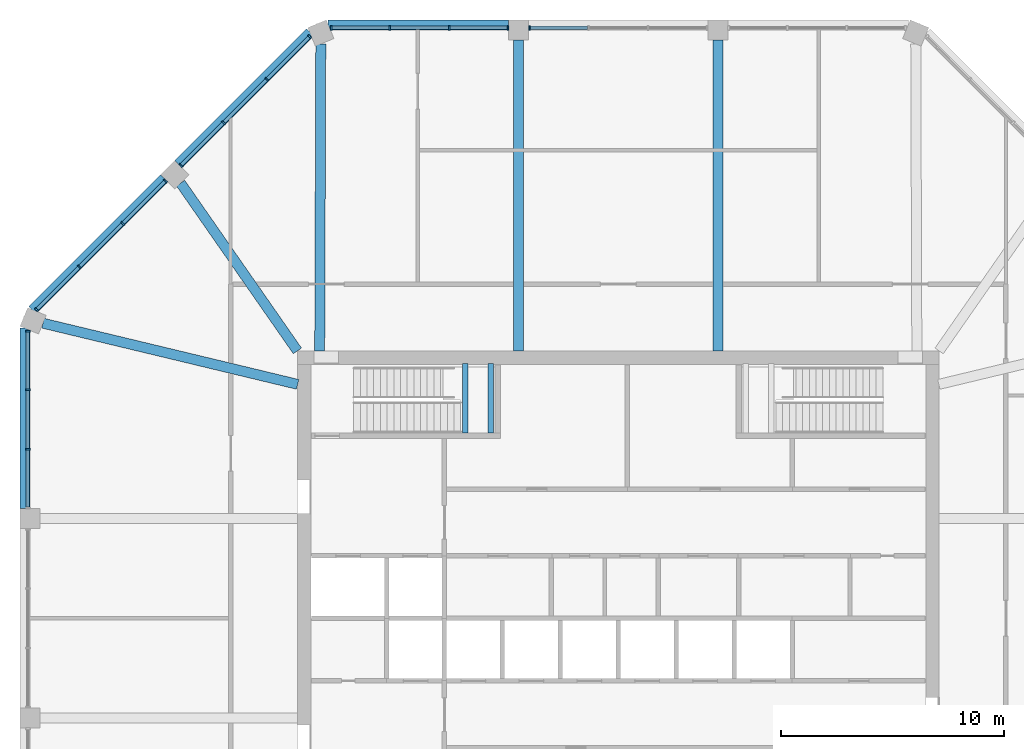
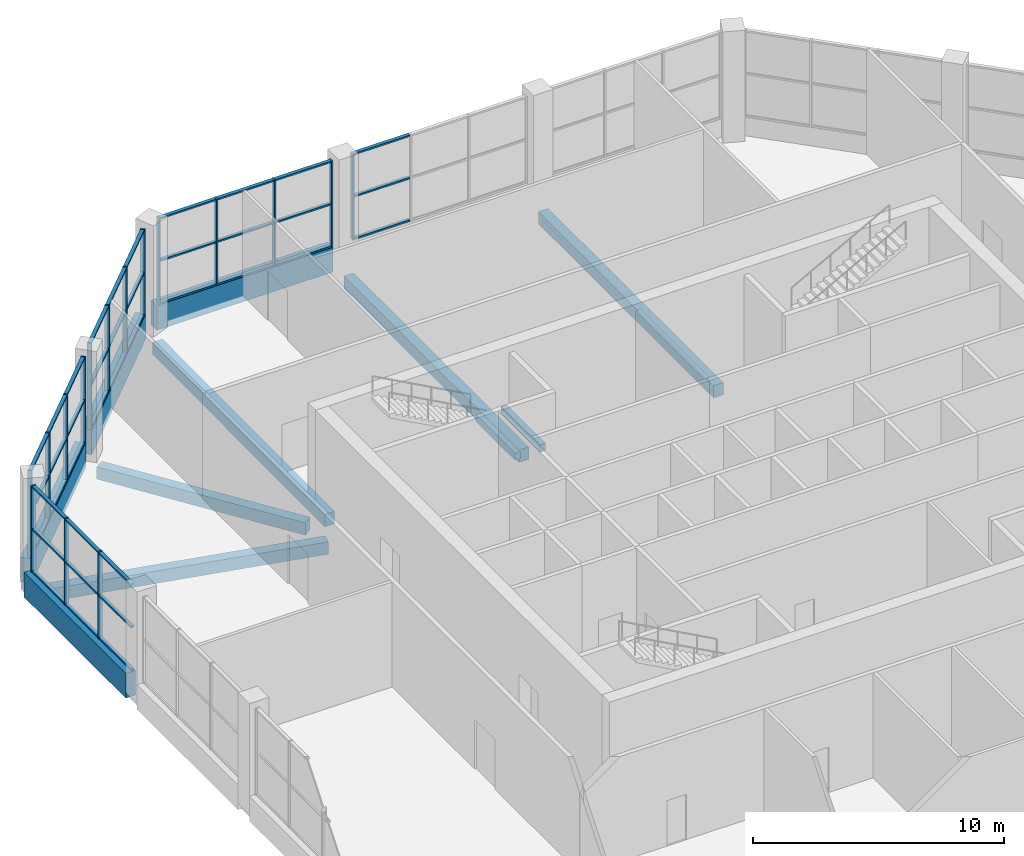
# One storey, part 6 of 15: 55 members, 11 beams, 5 elements without a shape of their own.
"""IFC4 building model written with IfcOpenShell, lengths in metres."""

from ifc_helpers import new_model, si_unit, direction, frame, origin, origin_2d, place, context, subcontext, project, spatial, rectangle, extrude, material, material_profile, profile_set, type_object, element, aggregate, save


model = new_model("IFC4")

# Units and contexts
model_context = context("Model", 3, precision=1e-05, world=origin(), true_north=direction((0.0, 1.0)))
body_context = subcontext(model_context, "Body", "Model", "MODEL_VIEW")
ifc_project = project(units=[si_unit("LENGTHUNIT", "METRE"), si_unit("AREAUNIT", "SQUARE_METRE"), si_unit("VOLUMEUNIT", "CUBIC_METRE"), si_unit("PLANEANGLEUNIT", "RADIAN"), si_unit("MASSUNIT", "GRAM", prefix="KILO")], contexts=[model_context])

# Site, building, storey
site_placement = place(None, origin())
site = spatial("IfcSite", under=ifc_project, at=site_placement, CompositionType="ELEMENT")
building_placement = place(site_placement, origin())
building = spatial("IfcBuilding", under=site, at=building_placement, Name="Msitu Wima Residences", CompositionType="ELEMENT")
storey_placement = place(building_placement, frame((0.0, 0.0, 314.699951171875)))
storey = spatial("IfcBuildingStorey", under=building, at=storey_placement, Name="L73", CompositionType="ELEMENT", Elevation=314.699951171875)

# Beams
ifc_material_1 = material(Name="Concrete C50/60", Category="concrete")
ifc_material_profile_1 = material_profile(ifc_material_1, rectangle(XDim=0.449951171875, YDim=0.60009765625, at=origin_2d()), Name="RC 450x600")
ifc_profile_set_1 = profile_set([ifc_material_profile_1], Name="Concrete C50/60")
beam_type_1 = type_object("IfcBeamType", Name="Beam RC 450x600 Concrete C50/60", PredefinedType="BEAM", material=ifc_profile_set_1)
for number, where, z_axis, x_axis, name in (
    (1, (4.46875, 25.949951171875, -0.599853515625), (0.0, -1.0, 0.0), (1.0, 0.0, 0.0), "Beam L73 C-N1"),
    (2, (-4.46875, 25.949951171875, -0.599853515625), (0.0, -1.0, 0.0), (1.0, 0.0, 0.0), "Beam L73 C-N2"),
):
    element("IfcBeam", number, at=place(storey_placement, frame(where, z_axis=z_axis, x_axis=x_axis)), inside=storey, type_object=beam_type_1, Name=name, PredefinedType="BEAM", context=body_context, shape_type="SweptSolid", body=[
        extrude(rectangle(XDim=0.449951171875, YDim=0.60009765625, at=origin_2d()), origin(), (0.0, 0.0, 1.0), 13.949951171875),
    ])
beam_1_placement = place(storey_placement, frame((-13.3505859375, 25.774169921875, -0.599853515625), z_axis=(-0.003594933206, -0.999993538207, 0.0), x_axis=(0.999993538207, -0.003594933206, 0.0)))
element("IfcBeam", 3, at=beam_1_placement, inside=storey, type_object=beam_type_1, Name="Beam L73 C-NW0", PredefinedType="BEAM", context=body_context, shape_type="SweptSolid", body=[
    extrude(rectangle(XDim=0.449951171875, YDim=0.60009765625, at=origin_2d()), origin(), (0.0, 0.0, 1.0), 13.7861328125),
])
beam_2_placement = place(storey_placement, frame((-19.6416015625, 19.52783203125, -0.599853515625), z_axis=(0.571427822633, -0.820652328042, 0.0), x_axis=(0.820652328042, 0.571427822633, 0.0)))
element("IfcBeam", 4, at=beam_2_placement, inside=storey, type_object=beam_type_1, Name="Beam L73 C-NW1", PredefinedType="BEAM", context=body_context, shape_type="SweptSolid", body=[
    extrude(rectangle(XDim=0.449951171875, YDim=0.60009765625, at=origin_2d()), origin(), (0.0, 0.0, 1.0), 9.173095703125),
])
beam_3_placement = place(storey_placement, frame((-25.819091796875, 13.242431640625, -0.599853515625), z_axis=(0.972353359268, -0.233514335148, 0.0), x_axis=(0.233514335148, 0.972353359268, 0.0)))
element("IfcBeam", 5, at=beam_3_placement, inside=storey, type_object=beam_type_1, Name="Beam L73 C-W0", PredefinedType="BEAM", context=body_context, shape_type="SweptSolid", body=[
    extrude(rectangle(XDim=0.449951171875, YDim=0.60009765625, at=origin_2d()), origin(), (0.0, 0.0, 1.0), 11.755615234375),
])
ifc_material_2 = material(Name="Concrete C40/50", Category="concrete")
ifc_material_profile_2 = material_profile(ifc_material_2, rectangle(XDim=0.25, YDim=0.35009765625, at=origin_2d()), Name="RC 250x350")
ifc_profile_set_2 = profile_set([ifc_material_profile_2], Name="Concrete C40/50")
beam_type_2 = type_object("IfcBeamType", Name="Landing beam RC 250x350", PredefinedType="BEAM", material=ifc_profile_set_2)
for number, where, z_axis, x_axis, name in (
    (6, (-6.875, 8.324951171875, 2.406982421875), (0.0, 1.0, 0.0), (-1.0, 0.0, 0.0), "Stair 1 landing beam"),
    (7, (-5.72509765625, 8.324951171875, 2.406982421875), (0.0, 1.0, 0.0), (-1.0, 0.0, 0.0), "Stair 1 landing beam"),
):
    element("IfcBeam", number, at=place(storey_placement, frame(where, z_axis=z_axis, x_axis=x_axis)), inside=storey, type_object=beam_type_2, Name=name, PredefinedType="BEAM", context=body_context, shape_type="SweptSolid", body=[
        extrude(rectangle(XDim=0.25, YDim=0.35009765625, at=origin_2d()), origin(), (0.0, 0.0, 1.0), 3.10009765625),
    ])

# Curtain wall, member
ifc_material_3 = material(Name="Anodised aluminium, bronze finish, solar control laminated double glazing", Category="aluminium")
curtain_wall_type = type_object("IfcCurtainWallType", Name="Curtain wall CW3 top lounge wall", PredefinedType="NOTDEFINED", material=ifc_material_3)
curtain_wall_1_placement = place(storey_placement, origin())
curtain_wall_1 = element("IfcCurtainWall", 8, at=curtain_wall_1_placement, inside=storey, type_object=curtain_wall_type, Name="Curtain wall CW3 L73 N1", PredefinedType="NOTDEFINED")
ifc_material_4 = material(Name="Anodised aluminium, bronze finish", Category="aluminium")
ifc_material_profile_3 = material_profile(ifc_material_4, rectangle(XDim=0.199951171875, YDim=0.074951171875, at=origin_2d()), Name="Mullion 75x200")
ifc_profile_set_3 = profile_set([ifc_material_profile_3], Name="Anodised aluminium, bronze finish")
member_type_1 = type_object("IfcMemberType", Name="Mullion CW3 75x200", PredefinedType="MULLION", material=ifc_profile_set_3)
member_1_placement = place(storey_placement, frame((-3.981201171875, 26.5, 0.900146484375), z_axis=(0.0, 0.0, 1.0), x_axis=(0.0, -1.0, 0.0)))
member_1 = element("IfcMember", 9, at=member_1_placement, type_object=member_type_1, Name="CW3 mullion 4", PredefinedType="MULLION", context=body_context, shape_type="SweptSolid", body=[
    extrude(rectangle(XDim=0.199951171875, YDim=0.074951171875, at=origin_2d()), origin(), (0.0, 0.0, 1.0), 4.199951171875),
])

# Curtain wall, members
curtain_wall_2_placement = place(storey_placement, origin())
curtain_wall_2 = element("IfcCurtainWall", 10, at=curtain_wall_2_placement, inside=storey, type_object=curtain_wall_type, Name="Curtain wall CW3 L73 N2", PredefinedType="NOTDEFINED")
member_2_placement = place(storey_placement, frame((-4.9560546875, 26.5, 0.900146484375), z_axis=(0.0, 0.0, 1.0), x_axis=(0.0, -1.0, 0.0)))
member_2 = element("IfcMember", 11, at=member_2_placement, type_object=member_type_1, Name="CW3 mullion 1", PredefinedType="MULLION", context=body_context, shape_type="SweptSolid", body=[
    extrude(rectangle(XDim=0.199951171875, YDim=0.074951171875, at=origin_2d()), origin(), (0.0, 0.0, 1.0), 4.199951171875),
])
member_3_placement = place(storey_placement, frame((-7.58544921875, 26.5, 0.900146484375), z_axis=(0.0, 0.0, 1.0), x_axis=(0.0, -1.0, 0.0)))
member_3 = element("IfcMember", 12, at=member_3_placement, type_object=member_type_1, Name="CW3 mullion 2", PredefinedType="MULLION", context=body_context, shape_type="SweptSolid", body=[
    extrude(rectangle(XDim=0.199951171875, YDim=0.074951171875, at=origin_2d()), origin(), (0.0, 0.0, 1.0), 4.199951171875),
])
member_4_placement = place(storey_placement, frame((-10.252197265625, 26.5, 0.900146484375), z_axis=(0.0, 0.0, 1.0), x_axis=(0.0, -1.0, 0.0)))
member_4 = element("IfcMember", 13, at=member_4_placement, type_object=member_type_1, Name="CW3 mullion 3", PredefinedType="MULLION", context=body_context, shape_type="SweptSolid", body=[
    extrude(rectangle(XDim=0.199951171875, YDim=0.074951171875, at=origin_2d()), origin(), (0.0, 0.0, 1.0), 4.199951171875),
])
member_5_placement = place(storey_placement, frame((-12.88134765625, 26.5, 0.900146484375), z_axis=(0.0, 0.0, 1.0), x_axis=(0.0, -1.0, 0.0)))
member_5 = element("IfcMember", 14, at=member_5_placement, type_object=member_type_1, Name="CW3 mullion 4", PredefinedType="MULLION", context=body_context, shape_type="SweptSolid", body=[
    extrude(rectangle(XDim=0.199951171875, YDim=0.074951171875, at=origin_2d()), origin(), (0.0, 0.0, 1.0), 4.199951171875),
])

curtain_wall_3_placement = place(storey_placement, origin())
curtain_wall_3 = element("IfcCurtainWall", 15, at=curtain_wall_3_placement, inside=storey, type_object=curtain_wall_type, Name="Curtain wall CW3 L73 NW0", PredefinedType="NOTDEFINED")
member_6_placement = place(storey_placement, frame((-13.847412109375, 26.099853515625, 0.900146484375), z_axis=(0.0, 0.0, 1.0), x_axis=(0.707106781187, -0.707106781187, 0.0)))
member_6 = element("IfcMember", 16, at=member_6_placement, type_object=member_type_1, Name="CW3 mullion 1", PredefinedType="MULLION", context=body_context, shape_type="SweptSolid", body=[
    extrude(rectangle(XDim=0.199951171875, YDim=0.074951171875, at=origin_2d()), origin(), (0.0, 0.0, 1.0), 4.199951171875),
])
member_7_placement = place(storey_placement, frame((-15.765869140625, 24.181396484375, 0.900146484375), z_axis=(0.0, 0.0, 1.0), x_axis=(0.707106781187, -0.707106781187, 0.0)))
member_7 = element("IfcMember", 17, at=member_7_placement, type_object=member_type_1, Name="CW3 mullion 2", PredefinedType="MULLION", context=body_context, shape_type="SweptSolid", body=[
    extrude(rectangle(XDim=0.199951171875, YDim=0.074951171875, at=origin_2d()), origin(), (0.0, 0.0, 1.0), 4.199951171875),
])
member_8_placement = place(storey_placement, frame((-17.710693359375, 22.236572265625, 0.900146484375), z_axis=(0.0, 0.0, 1.0), x_axis=(0.707106781187, -0.707106781187, 0.0)))
member_8 = element("IfcMember", 18, at=member_8_placement, type_object=member_type_1, Name="CW3 mullion 3", PredefinedType="MULLION", context=body_context, shape_type="SweptSolid", body=[
    extrude(rectangle(XDim=0.199951171875, YDim=0.074951171875, at=origin_2d()), origin(), (0.0, 0.0, 1.0), 4.199951171875),
])
member_9_placement = place(storey_placement, frame((-19.62890625, 20.318359375, 0.900146484375), z_axis=(0.0, 0.0, 1.0), x_axis=(0.707106781187, -0.707106781187, 0.0)))
member_9 = element("IfcMember", 19, at=member_9_placement, type_object=member_type_1, Name="CW3 mullion 4", PredefinedType="MULLION", context=body_context, shape_type="SweptSolid", body=[
    extrude(rectangle(XDim=0.199951171875, YDim=0.074951171875, at=origin_2d()), origin(), (0.0, 0.0, 1.0), 4.199951171875),
])

curtain_wall_4_placement = place(storey_placement, origin())
curtain_wall_4 = element("IfcCurtainWall", 20, at=curtain_wall_4_placement, inside=storey, type_object=curtain_wall_type, Name="Curtain wall CW3 L73 NW1", PredefinedType="NOTDEFINED")
member_10_placement = place(storey_placement, frame((-20.318359375, 19.62890625, 0.900146484375), z_axis=(0.0, 0.0, 1.0), x_axis=(0.707106841783, -0.707106720591, 0.0)))
member_10 = element("IfcMember", 21, at=member_10_placement, type_object=member_type_1, Name="CW3 mullion 1", PredefinedType="MULLION", context=body_context, shape_type="SweptSolid", body=[
    extrude(rectangle(XDim=0.199951171875, YDim=0.074951171875, at=origin_2d()), origin(), (0.0, 0.0, 1.0), 4.199951171875),
])
member_11_placement = place(storey_placement, frame((-22.236572265625, 17.710693359375, 0.900146484375), z_axis=(0.0, 0.0, 1.0), x_axis=(0.707106841783, -0.707106720591, 0.0)))
member_11 = element("IfcMember", 22, at=member_11_placement, type_object=member_type_1, Name="CW3 mullion 2", PredefinedType="MULLION", context=body_context, shape_type="SweptSolid", body=[
    extrude(rectangle(XDim=0.199951171875, YDim=0.074951171875, at=origin_2d()), origin(), (0.0, 0.0, 1.0), 4.199951171875),
])
member_12_placement = place(storey_placement, frame((-24.181396484375, 15.765869140625, 0.900146484375), z_axis=(0.0, 0.0, 1.0), x_axis=(0.707106841783, -0.707106720591, 0.0)))
member_12 = element("IfcMember", 23, at=member_12_placement, type_object=member_type_1, Name="CW3 mullion 3", PredefinedType="MULLION", context=body_context, shape_type="SweptSolid", body=[
    extrude(rectangle(XDim=0.199951171875, YDim=0.074951171875, at=origin_2d()), origin(), (0.0, 0.0, 1.0), 4.199951171875),
])
member_13_placement = place(storey_placement, frame((-26.099853515625, 13.847412109375, 0.900146484375), z_axis=(0.0, 0.0, 1.0), x_axis=(0.707106841783, -0.707106720591, 0.0)))
member_13 = element("IfcMember", 24, at=member_13_placement, type_object=member_type_1, Name="CW3 mullion 4", PredefinedType="MULLION", context=body_context, shape_type="SweptSolid", body=[
    extrude(rectangle(XDim=0.199951171875, YDim=0.074951171875, at=origin_2d()), origin(), (0.0, 0.0, 1.0), 4.199951171875),
])

curtain_wall_5_placement = place(storey_placement, origin())
curtain_wall_5 = element("IfcCurtainWall", 25, at=curtain_wall_5_placement, inside=storey, type_object=curtain_wall_type, Name="Curtain wall CW3 L73 W0", PredefinedType="NOTDEFINED")
member_14_placement = place(storey_placement, frame((-26.5, 12.88134765625, 0.900146484375), z_axis=(0.0, 0.0, 1.0), x_axis=(1.0, 0.0, 0.0)))
member_14 = element("IfcMember", 26, at=member_14_placement, type_object=member_type_1, Name="CW3 mullion 1", PredefinedType="MULLION", context=body_context, shape_type="SweptSolid", body=[
    extrude(rectangle(XDim=0.199951171875, YDim=0.074951171875, at=origin_2d()), origin(), (0.0, 0.0, 1.0), 4.199951171875),
])
member_15_placement = place(storey_placement, frame((-26.5, 10.252197265625, 0.900146484375), z_axis=(0.0, 0.0, 1.0), x_axis=(1.0, 0.0, 0.0)))
member_15 = element("IfcMember", 27, at=member_15_placement, type_object=member_type_1, Name="CW3 mullion 2", PredefinedType="MULLION", context=body_context, shape_type="SweptSolid", body=[
    extrude(rectangle(XDim=0.199951171875, YDim=0.074951171875, at=origin_2d()), origin(), (0.0, 0.0, 1.0), 4.199951171875),
])
member_16_placement = place(storey_placement, frame((-26.5, 7.58544921875, 0.900146484375), z_axis=(0.0, 0.0, 1.0), x_axis=(1.0, 0.0, 0.0)))
member_16 = element("IfcMember", 28, at=member_16_placement, type_object=member_type_1, Name="CW3 mullion 3", PredefinedType="MULLION", context=body_context, shape_type="SweptSolid", body=[
    extrude(rectangle(XDim=0.199951171875, YDim=0.074951171875, at=origin_2d()), origin(), (0.0, 0.0, 1.0), 4.199951171875),
])

# Beams
ifc_material_profile_4 = material_profile(ifc_material_1, rectangle(XDim=0.449951171875, YDim=1.199951171875, at=origin_2d()), Name="RC 450x1200")
ifc_profile_set_4 = profile_set([ifc_material_profile_4], Name="Concrete C50/60")
beam_type_3 = type_object("IfcBeamType", Name="Spandrel RC 450x1200 Concrete C50/60", PredefinedType="SPANDREL", material=ifc_profile_set_4)
beam_4_placement = place(storey_placement, frame((-4.918701171875, 26.625, 0.300048828125), z_axis=(-1.0, 0.0, 0.0), x_axis=(0.0, -1.0, 0.0)))
element("IfcBeam", 29, at=beam_4_placement, inside=storey, type_object=beam_type_3, Name="Spandrel L73 N2", PredefinedType="SPANDREL", context=body_context, shape_type="SweptSolid", body=[
    extrude(rectangle(XDim=0.449951171875, YDim=1.199951171875, at=origin_2d()), origin(), (0.0, 0.0, 1.0), 8.105224609375),
])
for number, where, z_axis, x_axis, name in (
    (30, (-13.8349609375, 26.2890625, 0.300048828125), (-0.707106781187, -0.707106781187, 0.0), (0.707106781187, -0.707106781187, 0.0), "Spandrel L73 NW0"),
    (31, (-20.380126953125, 19.743896484375, 0.300048828125), (-0.707106781187, -0.707106781187, 0.0), (0.707106781187, -0.707106781187, 0.0), "Spandrel L73 NW1"),
):
    element("IfcBeam", number, at=place(storey_placement, frame(where, z_axis=z_axis, x_axis=x_axis)), inside=storey, type_object=beam_type_3, Name=name, PredefinedType="SPANDREL", context=body_context, shape_type="SweptSolid", body=[
        extrude(rectangle(XDim=0.449951171875, YDim=1.199951171875, at=origin_2d()), origin(), (0.0, 0.0, 1.0), 8.3564453125),
    ])
beam_5_placement = place(storey_placement, frame((-26.625, 13.02392578125, 0.300048828125), z_axis=(0.0, -1.0, 0.0), x_axis=(1.0, 0.0, 0.0)))
element("IfcBeam", 32, at=beam_5_placement, inside=storey, type_object=beam_type_3, Name="Spandrel L73 W0", PredefinedType="SPANDREL", context=body_context, shape_type="SweptSolid", body=[
    extrude(rectangle(XDim=0.449951171875, YDim=1.199951171875, at=origin_2d()), origin(), (0.0, 0.0, 1.0), 8.105224609375),
])

# Member
ifc_material_profile_5 = material_profile(ifc_material_4, rectangle(XDim=0.159912109375, YDim=0.074951171875, at=origin_2d()), Name="Transom 75x160")
ifc_profile_set_5 = profile_set([ifc_material_profile_5], Name="Anodised aluminium, bronze finish")
member_type_2 = type_object("IfcMemberType", Name="Transom CW3 75x160", PredefinedType="USERDEFINED", material=ifc_profile_set_5)
member_17_placement = place(storey_placement, frame((-1.376953125, 26.5, 0.9375), z_axis=(-1.0, 0.0, 0.0), x_axis=(0.0, -1.0, 0.0)))
member_17 = element("IfcMember", 33, at=member_17_placement, type_object=member_type_2, Name="CW3 transom 3.1", ObjectType="TRANSOM", PredefinedType="USERDEFINED", context=body_context, shape_type="SweptSolid", body=[
    extrude(rectangle(XDim=0.159912109375, YDim=0.074951171875, at=origin_2d()), origin(), (0.0, 0.0, 1.0), 2.566650390625),
])

member_18_placement = place(storey_placement, frame((-1.376953125, 26.5, 3.0), z_axis=(-1.0, 0.0, 0.0), x_axis=(0.0, -1.0, 0.0)))
member_18 = element("IfcMember", 34, at=member_18_placement, type_object=member_type_2, Name="CW3 transom 3.2", ObjectType="TRANSOM", PredefinedType="USERDEFINED", context=body_context, shape_type="SweptSolid", body=[
    extrude(rectangle(XDim=0.159912109375, YDim=0.074951171875, at=origin_2d()), origin(), (0.0, 0.0, 1.0), 2.566650390625),
])

member_19_placement = place(storey_placement, frame((-1.376953125, 26.5, 5.0625), z_axis=(-1.0, 0.0, 0.0), x_axis=(0.0, -1.0, 0.0)))
member_19 = element("IfcMember", 35, at=member_19_placement, type_object=member_type_2, Name="CW3 transom 3.3", ObjectType="TRANSOM", PredefinedType="USERDEFINED", context=body_context, shape_type="SweptSolid", body=[
    extrude(rectangle(XDim=0.159912109375, YDim=0.074951171875, at=origin_2d()), origin(), (0.0, 0.0, 1.0), 2.566650390625),
])

aggregate(curtain_wall_1, [member_1, member_17, member_18, member_19])

member_20_placement = place(storey_placement, frame((-4.99365234375, 26.5, 0.9375), z_axis=(-1.0, 0.0, 0.0), x_axis=(0.0, -1.0, 0.0)))
member_20 = element("IfcMember", 36, at=member_20_placement, type_object=member_type_2, Name="CW3 transom 1.1", ObjectType="TRANSOM", PredefinedType="USERDEFINED", context=body_context, shape_type="SweptSolid", body=[
    extrude(rectangle(XDim=0.159912109375, YDim=0.074951171875, at=origin_2d()), origin(), (0.0, 0.0, 1.0), 2.55419921875),
])

member_21_placement = place(storey_placement, frame((-4.99365234375, 26.5, 3.0), z_axis=(-1.0, 0.0, 0.0), x_axis=(0.0, -1.0, 0.0)))
member_21 = element("IfcMember", 37, at=member_21_placement, type_object=member_type_2, Name="CW3 transom 1.2", ObjectType="TRANSOM", PredefinedType="USERDEFINED", context=body_context, shape_type="SweptSolid", body=[
    extrude(rectangle(XDim=0.159912109375, YDim=0.074951171875, at=origin_2d()), origin(), (0.0, 0.0, 1.0), 2.55419921875),
])

member_22_placement = place(storey_placement, frame((-4.99365234375, 26.5, 5.0625), z_axis=(-1.0, 0.0, 0.0), x_axis=(0.0, -1.0, 0.0)))
member_22 = element("IfcMember", 38, at=member_22_placement, type_object=member_type_2, Name="CW3 transom 1.3", ObjectType="TRANSOM", PredefinedType="USERDEFINED", context=body_context, shape_type="SweptSolid", body=[
    extrude(rectangle(XDim=0.159912109375, YDim=0.074951171875, at=origin_2d()), origin(), (0.0, 0.0, 1.0), 2.55419921875),
])

member_23_placement = place(storey_placement, frame((-7.622802734375, 26.5, 0.9375), z_axis=(-1.0, 0.0, 0.0), x_axis=(0.0, -1.0, 0.0)))
member_23 = element("IfcMember", 39, at=member_23_placement, type_object=member_type_2, Name="CW3 transom 2.1", ObjectType="TRANSOM", PredefinedType="USERDEFINED", context=body_context, shape_type="SweptSolid", body=[
    extrude(rectangle(XDim=0.159912109375, YDim=0.074951171875, at=origin_2d()), origin(), (0.0, 0.0, 1.0), 2.591796875),
])

member_24_placement = place(storey_placement, frame((-7.622802734375, 26.5, 3.0), z_axis=(-1.0, 0.0, 0.0), x_axis=(0.0, -1.0, 0.0)))
member_24 = element("IfcMember", 40, at=member_24_placement, type_object=member_type_2, Name="CW3 transom 2.2", ObjectType="TRANSOM", PredefinedType="USERDEFINED", context=body_context, shape_type="SweptSolid", body=[
    extrude(rectangle(XDim=0.159912109375, YDim=0.074951171875, at=origin_2d()), origin(), (0.0, 0.0, 1.0), 2.591796875),
])

member_25_placement = place(storey_placement, frame((-7.622802734375, 26.5, 5.0625), z_axis=(-1.0, 0.0, 0.0), x_axis=(0.0, -1.0, 0.0)))
member_25 = element("IfcMember", 41, at=member_25_placement, type_object=member_type_2, Name="CW3 transom 2.3", ObjectType="TRANSOM", PredefinedType="USERDEFINED", context=body_context, shape_type="SweptSolid", body=[
    extrude(rectangle(XDim=0.159912109375, YDim=0.074951171875, at=origin_2d()), origin(), (0.0, 0.0, 1.0), 2.591796875),
])

member_26_placement = place(storey_placement, frame((-10.28955078125, 26.5, 0.9375), z_axis=(-1.0, 0.0, 0.0), x_axis=(0.0, -1.0, 0.0)))
member_26 = element("IfcMember", 42, at=member_26_placement, type_object=member_type_2, Name="CW3 transom 3.1", ObjectType="TRANSOM", PredefinedType="USERDEFINED", context=body_context, shape_type="SweptSolid", body=[
    extrude(rectangle(XDim=0.159912109375, YDim=0.074951171875, at=origin_2d()), origin(), (0.0, 0.0, 1.0), 2.55419921875),
])

member_27_placement = place(storey_placement, frame((-10.28955078125, 26.5, 3.0), z_axis=(-1.0, 0.0, 0.0), x_axis=(0.0, -1.0, 0.0)))
member_27 = element("IfcMember", 43, at=member_27_placement, type_object=member_type_2, Name="CW3 transom 3.2", ObjectType="TRANSOM", PredefinedType="USERDEFINED", context=body_context, shape_type="SweptSolid", body=[
    extrude(rectangle(XDim=0.159912109375, YDim=0.074951171875, at=origin_2d()), origin(), (0.0, 0.0, 1.0), 2.55419921875),
])

member_28_placement = place(storey_placement, frame((-10.28955078125, 26.5, 5.0625), z_axis=(-1.0, 0.0, 0.0), x_axis=(0.0, -1.0, 0.0)))
member_28 = element("IfcMember", 44, at=member_28_placement, type_object=member_type_2, Name="CW3 transom 3.3", ObjectType="TRANSOM", PredefinedType="USERDEFINED", context=body_context, shape_type="SweptSolid", body=[
    extrude(rectangle(XDim=0.159912109375, YDim=0.074951171875, at=origin_2d()), origin(), (0.0, 0.0, 1.0), 2.55419921875),
])

aggregate(curtain_wall_2, [member_2, member_3, member_4, member_5, member_20, member_21, member_22, member_23, member_24, member_25, member_26, member_27, member_28])

member_29_placement = place(storey_placement, frame((-13.8740234375, 26.0732421875, 0.9375), z_axis=(-0.707106781187, -0.707106781187, 0.0), x_axis=(0.707106781187, -0.707106781187, 0.0)))
member_29 = element("IfcMember", 45, at=member_29_placement, type_object=member_type_2, Name="CW3 transom 1.1", ObjectType="TRANSOM", PredefinedType="USERDEFINED", context=body_context, shape_type="SweptSolid", body=[
    extrude(rectangle(XDim=0.159912109375, YDim=0.074951171875, at=origin_2d()), origin(), (0.0, 0.0, 1.0), 2.637939453125),
])

member_30_placement = place(storey_placement, frame((-13.8740234375, 26.0732421875, 3.0), z_axis=(-0.707106781187, -0.707106781187, 0.0), x_axis=(0.707106781187, -0.707106781187, 0.0)))
member_30 = element("IfcMember", 46, at=member_30_placement, type_object=member_type_2, Name="CW3 transom 1.2", ObjectType="TRANSOM", PredefinedType="USERDEFINED", context=body_context, shape_type="SweptSolid", body=[
    extrude(rectangle(XDim=0.159912109375, YDim=0.074951171875, at=origin_2d()), origin(), (0.0, 0.0, 1.0), 2.637939453125),
])

member_31_placement = place(storey_placement, frame((-13.8740234375, 26.0732421875, 5.0625), z_axis=(-0.707106781187, -0.707106781187, 0.0), x_axis=(0.707106781187, -0.707106781187, 0.0)))
member_31 = element("IfcMember", 47, at=member_31_placement, type_object=member_type_2, Name="CW3 transom 1.3", ObjectType="TRANSOM", PredefinedType="USERDEFINED", context=body_context, shape_type="SweptSolid", body=[
    extrude(rectangle(XDim=0.159912109375, YDim=0.074951171875, at=origin_2d()), origin(), (0.0, 0.0, 1.0), 2.637939453125),
])

member_32_placement = place(storey_placement, frame((-15.792236328125, 24.155029296875, 0.9375), z_axis=(-0.707106781187, -0.707106781187, 0.0), x_axis=(0.707106781187, -0.707106781187, 0.0)))
member_32 = element("IfcMember", 48, at=member_32_placement, type_object=member_type_2, Name="CW3 transom 2.1", ObjectType="TRANSOM", PredefinedType="USERDEFINED", context=body_context, shape_type="SweptSolid", body=[
    extrude(rectangle(XDim=0.159912109375, YDim=0.074951171875, at=origin_2d()), origin(), (0.0, 0.0, 1.0), 2.675537109375),
])

member_33_placement = place(storey_placement, frame((-15.792236328125, 24.155029296875, 3.0), z_axis=(-0.707106781187, -0.707106781187, 0.0), x_axis=(0.707106781187, -0.707106781187, 0.0)))
member_33 = element("IfcMember", 49, at=member_33_placement, type_object=member_type_2, Name="CW3 transom 2.2", ObjectType="TRANSOM", PredefinedType="USERDEFINED", context=body_context, shape_type="SweptSolid", body=[
    extrude(rectangle(XDim=0.159912109375, YDim=0.074951171875, at=origin_2d()), origin(), (0.0, 0.0, 1.0), 2.675537109375),
])

member_34_placement = place(storey_placement, frame((-15.792236328125, 24.155029296875, 5.0625), z_axis=(-0.707106781187, -0.707106781187, 0.0), x_axis=(0.707106781187, -0.707106781187, 0.0)))
member_34 = element("IfcMember", 50, at=member_34_placement, type_object=member_type_2, Name="CW3 transom 2.3", ObjectType="TRANSOM", PredefinedType="USERDEFINED", context=body_context, shape_type="SweptSolid", body=[
    extrude(rectangle(XDim=0.159912109375, YDim=0.074951171875, at=origin_2d()), origin(), (0.0, 0.0, 1.0), 2.675537109375),
])

member_35_placement = place(storey_placement, frame((-17.737060546875, 22.210205078125, 0.9375), z_axis=(-0.707153053266, -0.707060506079, 0.0), x_axis=(0.707060506079, -0.707153053266, 0.0)))
member_35 = element("IfcMember", 51, at=member_35_placement, type_object=member_type_2, Name="CW3 transom 3.1", ObjectType="TRANSOM", PredefinedType="USERDEFINED", context=body_context, shape_type="SweptSolid", body=[
    extrude(rectangle(XDim=0.159912109375, YDim=0.074951171875, at=origin_2d()), origin(), (0.0, 0.0, 1.0), 2.637939453125),
])

member_36_placement = place(storey_placement, frame((-17.737060546875, 22.210205078125, 3.0), z_axis=(-0.707153053266, -0.707060506079, 0.0), x_axis=(0.707060506079, -0.707153053266, 0.0)))
member_36 = element("IfcMember", 52, at=member_36_placement, type_object=member_type_2, Name="CW3 transom 3.2", ObjectType="TRANSOM", PredefinedType="USERDEFINED", context=body_context, shape_type="SweptSolid", body=[
    extrude(rectangle(XDim=0.159912109375, YDim=0.074951171875, at=origin_2d()), origin(), (0.0, 0.0, 1.0), 2.637939453125),
])

member_37_placement = place(storey_placement, frame((-17.737060546875, 22.210205078125, 5.0625), z_axis=(-0.707153053266, -0.707060506079, 0.0), x_axis=(0.707060506079, -0.707153053266, 0.0)))
member_37 = element("IfcMember", 53, at=member_37_placement, type_object=member_type_2, Name="CW3 transom 3.3", ObjectType="TRANSOM", PredefinedType="USERDEFINED", context=body_context, shape_type="SweptSolid", body=[
    extrude(rectangle(XDim=0.159912109375, YDim=0.074951171875, at=origin_2d()), origin(), (0.0, 0.0, 1.0), 2.637939453125),
])

aggregate(curtain_wall_3, [member_6, member_7, member_8, member_9, member_29, member_30, member_31, member_32, member_33, member_34, member_35, member_36, member_37])

member_38_placement = place(storey_placement, frame((-20.344970703125, 19.6025390625, 0.9375), z_axis=(-0.707060506079, -0.707153053266, 0.0), x_axis=(0.707153053266, -0.707060506079, 0.0)))
member_38 = element("IfcMember", 54, at=member_38_placement, type_object=member_type_2, Name="CW3 transom 1.1", ObjectType="TRANSOM", PredefinedType="USERDEFINED", context=body_context, shape_type="SweptSolid", body=[
    extrude(rectangle(XDim=0.159912109375, YDim=0.074951171875, at=origin_2d()), origin(), (0.0, 0.0, 1.0), 2.637939453125),
])

member_39_placement = place(storey_placement, frame((-20.344970703125, 19.6025390625, 3.0), z_axis=(-0.707060506079, -0.707153053266, 0.0), x_axis=(0.707153053266, -0.707060506079, 0.0)))
member_39 = element("IfcMember", 55, at=member_39_placement, type_object=member_type_2, Name="CW3 transom 1.2", ObjectType="TRANSOM", PredefinedType="USERDEFINED", context=body_context, shape_type="SweptSolid", body=[
    extrude(rectangle(XDim=0.159912109375, YDim=0.074951171875, at=origin_2d()), origin(), (0.0, 0.0, 1.0), 2.637939453125),
])

member_40_placement = place(storey_placement, frame((-20.344970703125, 19.6025390625, 5.0625), z_axis=(-0.707060506079, -0.707153053266, 0.0), x_axis=(0.707153053266, -0.707060506079, 0.0)))
member_40 = element("IfcMember", 56, at=member_40_placement, type_object=member_type_2, Name="CW3 transom 1.3", ObjectType="TRANSOM", PredefinedType="USERDEFINED", context=body_context, shape_type="SweptSolid", body=[
    extrude(rectangle(XDim=0.159912109375, YDim=0.074951171875, at=origin_2d()), origin(), (0.0, 0.0, 1.0), 2.637939453125),
])

member_41_placement = place(storey_placement, frame((-22.26318359375, 17.68408203125, 0.9375), z_axis=(-0.707106781187, -0.707106781187, 0.0), x_axis=(0.707106781187, -0.707106781187, 0.0)))
member_41 = element("IfcMember", 57, at=member_41_placement, type_object=member_type_2, Name="CW3 transom 2.1", ObjectType="TRANSOM", PredefinedType="USERDEFINED", context=body_context, shape_type="SweptSolid", body=[
    extrude(rectangle(XDim=0.159912109375, YDim=0.074951171875, at=origin_2d()), origin(), (0.0, 0.0, 1.0), 2.675537109375),
])

member_42_placement = place(storey_placement, frame((-22.26318359375, 17.68408203125, 3.0), z_axis=(-0.707106781187, -0.707106781187, 0.0), x_axis=(0.707106781187, -0.707106781187, 0.0)))
member_42 = element("IfcMember", 58, at=member_42_placement, type_object=member_type_2, Name="CW3 transom 2.2", ObjectType="TRANSOM", PredefinedType="USERDEFINED", context=body_context, shape_type="SweptSolid", body=[
    extrude(rectangle(XDim=0.159912109375, YDim=0.074951171875, at=origin_2d()), origin(), (0.0, 0.0, 1.0), 2.675537109375),
])

member_43_placement = place(storey_placement, frame((-22.26318359375, 17.68408203125, 5.0625), z_axis=(-0.707106781187, -0.707106781187, 0.0), x_axis=(0.707106781187, -0.707106781187, 0.0)))
member_43 = element("IfcMember", 59, at=member_43_placement, type_object=member_type_2, Name="CW3 transom 2.3", ObjectType="TRANSOM", PredefinedType="USERDEFINED", context=body_context, shape_type="SweptSolid", body=[
    extrude(rectangle(XDim=0.159912109375, YDim=0.074951171875, at=origin_2d()), origin(), (0.0, 0.0, 1.0), 2.675537109375),
])

member_44_placement = place(storey_placement, frame((-24.2080078125, 15.7392578125, 0.9375), z_axis=(-0.707106781187, -0.707106781187, 0.0), x_axis=(0.707106781187, -0.707106781187, 0.0)))
member_44 = element("IfcMember", 60, at=member_44_placement, type_object=member_type_2, Name="CW3 transom 3.1", ObjectType="TRANSOM", PredefinedType="USERDEFINED", context=body_context, shape_type="SweptSolid", body=[
    extrude(rectangle(XDim=0.159912109375, YDim=0.074951171875, at=origin_2d()), origin(), (0.0, 0.0, 1.0), 2.637939453125),
])

member_45_placement = place(storey_placement, frame((-24.2080078125, 15.7392578125, 3.0), z_axis=(-0.707106781187, -0.707106781187, 0.0), x_axis=(0.707106781187, -0.707106781187, 0.0)))
member_45 = element("IfcMember", 61, at=member_45_placement, type_object=member_type_2, Name="CW3 transom 3.2", ObjectType="TRANSOM", PredefinedType="USERDEFINED", context=body_context, shape_type="SweptSolid", body=[
    extrude(rectangle(XDim=0.159912109375, YDim=0.074951171875, at=origin_2d()), origin(), (0.0, 0.0, 1.0), 2.637939453125),
])

member_46_placement = place(storey_placement, frame((-24.2080078125, 15.7392578125, 5.0625), z_axis=(-0.707106781187, -0.707106781187, 0.0), x_axis=(0.707106781187, -0.707106781187, 0.0)))
member_46 = element("IfcMember", 62, at=member_46_placement, type_object=member_type_2, Name="CW3 transom 3.3", ObjectType="TRANSOM", PredefinedType="USERDEFINED", context=body_context, shape_type="SweptSolid", body=[
    extrude(rectangle(XDim=0.159912109375, YDim=0.074951171875, at=origin_2d()), origin(), (0.0, 0.0, 1.0), 2.637939453125),
])

aggregate(curtain_wall_4, [member_10, member_11, member_12, member_13, member_38, member_39, member_40, member_41, member_42, member_43, member_44, member_45, member_46])

member_47_placement = place(storey_placement, frame((-26.5, 12.84375, 0.9375), z_axis=(0.0, -1.0, 0.0), x_axis=(1.0, 0.0, 0.0)))
member_47 = element("IfcMember", 63, at=member_47_placement, type_object=member_type_2, Name="CW3 transom 1.1", ObjectType="TRANSOM", PredefinedType="USERDEFINED", context=body_context, shape_type="SweptSolid", body=[
    extrude(rectangle(XDim=0.159912109375, YDim=0.074951171875, at=origin_2d()), origin(), (0.0, 0.0, 1.0), 2.55419921875),
])

member_48_placement = place(storey_placement, frame((-26.5, 12.84375, 3.0), z_axis=(0.0, -1.0, 0.0), x_axis=(1.0, 0.0, 0.0)))
member_48 = element("IfcMember", 64, at=member_48_placement, type_object=member_type_2, Name="CW3 transom 1.2", ObjectType="TRANSOM", PredefinedType="USERDEFINED", context=body_context, shape_type="SweptSolid", body=[
    extrude(rectangle(XDim=0.159912109375, YDim=0.074951171875, at=origin_2d()), origin(), (0.0, 0.0, 1.0), 2.55419921875),
])

member_49_placement = place(storey_placement, frame((-26.5, 12.84375, 5.0625), z_axis=(0.0, -1.0, 0.0), x_axis=(1.0, 0.0, 0.0)))
member_49 = element("IfcMember", 65, at=member_49_placement, type_object=member_type_2, Name="CW3 transom 1.3", ObjectType="TRANSOM", PredefinedType="USERDEFINED", context=body_context, shape_type="SweptSolid", body=[
    extrude(rectangle(XDim=0.159912109375, YDim=0.074951171875, at=origin_2d()), origin(), (0.0, 0.0, 1.0), 2.55419921875),
])

member_50_placement = place(storey_placement, frame((-26.5, 10.214599609375, 0.9375), z_axis=(0.0, -1.0, 0.0), x_axis=(1.0, 0.0, 0.0)))
member_50 = element("IfcMember", 66, at=member_50_placement, type_object=member_type_2, Name="CW3 transom 2.1", ObjectType="TRANSOM", PredefinedType="USERDEFINED", context=body_context, shape_type="SweptSolid", body=[
    extrude(rectangle(XDim=0.159912109375, YDim=0.074951171875, at=origin_2d()), origin(), (0.0, 0.0, 1.0), 2.591796875),
])

member_51_placement = place(storey_placement, frame((-26.5, 10.214599609375, 3.0), z_axis=(0.0, -1.0, 0.0), x_axis=(1.0, 0.0, 0.0)))
member_51 = element("IfcMember", 67, at=member_51_placement, type_object=member_type_2, Name="CW3 transom 2.2", ObjectType="TRANSOM", PredefinedType="USERDEFINED", context=body_context, shape_type="SweptSolid", body=[
    extrude(rectangle(XDim=0.159912109375, YDim=0.074951171875, at=origin_2d()), origin(), (0.0, 0.0, 1.0), 2.591796875),
])

member_52_placement = place(storey_placement, frame((-26.5, 10.214599609375, 5.0625), z_axis=(0.0, -1.0, 0.0), x_axis=(1.0, 0.0, 0.0)))
member_52 = element("IfcMember", 68, at=member_52_placement, type_object=member_type_2, Name="CW3 transom 2.3", ObjectType="TRANSOM", PredefinedType="USERDEFINED", context=body_context, shape_type="SweptSolid", body=[
    extrude(rectangle(XDim=0.159912109375, YDim=0.074951171875, at=origin_2d()), origin(), (0.0, 0.0, 1.0), 2.591796875),
])

member_53_placement = place(storey_placement, frame((-26.5, 7.5478515625, 0.9375), z_axis=(0.0, -1.0, 0.0), x_axis=(1.0, 0.0, 0.0)))
member_53 = element("IfcMember", 69, at=member_53_placement, type_object=member_type_2, Name="CW3 transom 3.1", ObjectType="TRANSOM", PredefinedType="USERDEFINED", context=body_context, shape_type="SweptSolid", body=[
    extrude(rectangle(XDim=0.159912109375, YDim=0.074951171875, at=origin_2d()), origin(), (0.0, 0.0, 1.0), 2.55419921875),
])

member_54_placement = place(storey_placement, frame((-26.5, 7.5478515625, 3.0), z_axis=(0.0, -1.0, 0.0), x_axis=(1.0, 0.0, 0.0)))
member_54 = element("IfcMember", 70, at=member_54_placement, type_object=member_type_2, Name="CW3 transom 3.2", ObjectType="TRANSOM", PredefinedType="USERDEFINED", context=body_context, shape_type="SweptSolid", body=[
    extrude(rectangle(XDim=0.159912109375, YDim=0.074951171875, at=origin_2d()), origin(), (0.0, 0.0, 1.0), 2.55419921875),
])

member_55_placement = place(storey_placement, frame((-26.5, 7.5478515625, 5.0625), z_axis=(0.0, -1.0, 0.0), x_axis=(1.0, 0.0, 0.0)))
member_55 = element("IfcMember", 71, at=member_55_placement, type_object=member_type_2, Name="CW3 transom 3.3", ObjectType="TRANSOM", PredefinedType="USERDEFINED", context=body_context, shape_type="SweptSolid", body=[
    extrude(rectangle(XDim=0.159912109375, YDim=0.074951171875, at=origin_2d()), origin(), (0.0, 0.0, 1.0), 2.55419921875),
])

aggregate(curtain_wall_5, [member_14, member_15, member_16, member_47, member_48, member_49, member_50, member_51, member_52, member_53, member_54, member_55])

save(model, "model.ifc")
